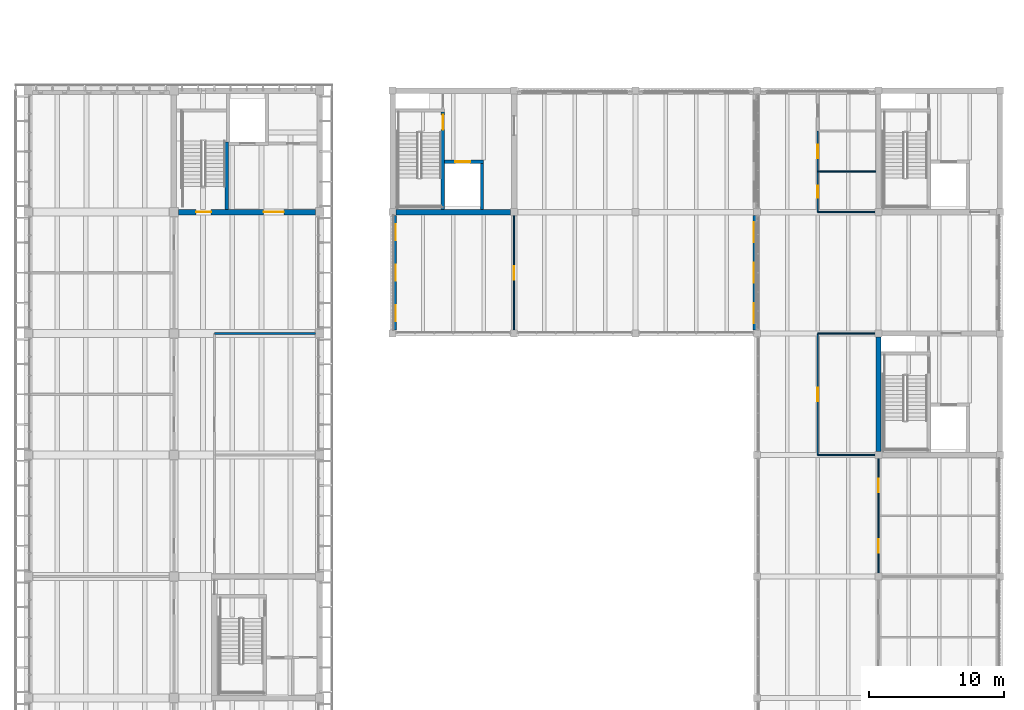
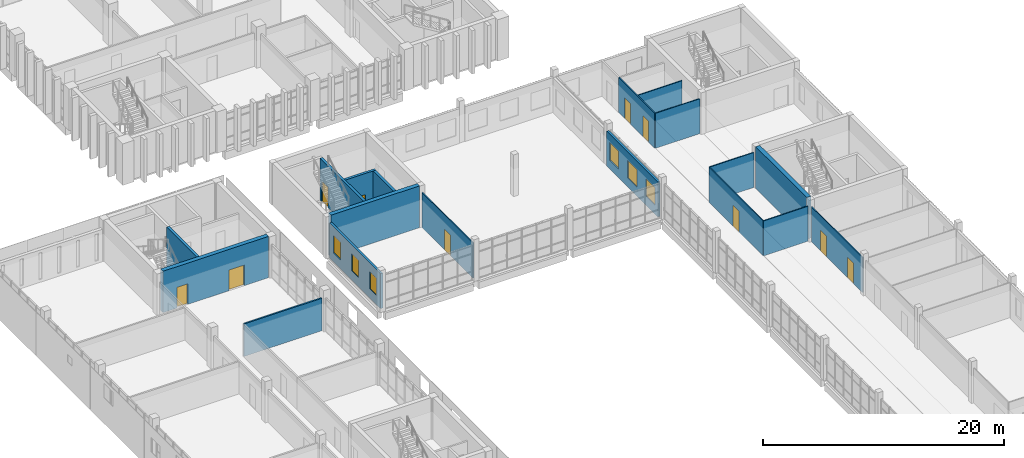
# One storey, part 54 of 92: 18 walls, 10 doors, 6 windows, 16 openings.
"""IFC4 building model written with IfcOpenShell, lengths in metres."""

from ifc_helpers import new_model, si_unit, direction, frame, frame_2d, origin, place, context, subcontext, project, spatial, rectangle, extrude, material, layer, layer_set, type_object, element, fill, save


model = new_model("IFC4")

# Units and contexts
model_context = context("Model", 3, precision=1e-05, world=origin(), true_north=direction((0.0, 1.0)))
body_context = subcontext(model_context, "Body", "Model", "MODEL_VIEW")
ifc_project = project(units=[si_unit("LENGTHUNIT", "METRE"), si_unit("AREAUNIT", "SQUARE_METRE"), si_unit("VOLUMEUNIT", "CUBIC_METRE"), si_unit("PLANEANGLEUNIT", "RADIAN"), si_unit("MASSUNIT", "GRAM", prefix="KILO")], contexts=[model_context])

# Site, building, storey
site_placement = place(None, origin())
site = spatial("IfcSite", under=ifc_project, at=site_placement, CompositionType="ELEMENT")
building_placement = place(site_placement, origin())
building = spatial("IfcBuilding", under=site, at=building_placement, Name="Merrow Basin Faculty of Sciences", CompositionType="ELEMENT")
storey_placement = place(building_placement, frame((0.0, 0.0, 4.5)))
storey = spatial("IfcBuildingStorey", under=building, at=storey_placement, Name="L01", CompositionType="ELEMENT", Elevation=4.5)

# Wall
ifc_material_1 = material(Name="Fire-rated gypsum board")
ifc_layer_1 = layer(ifc_material_1, 0.14990234375)
ifc_layer_set_1 = layer_set([ifc_layer_1], Name="Corridor partition 150 fire-rated board on steel studs")
wall_type_1 = type_object("IfcWallType", Name="Corridor partition 150 fire-rated board on steel studs", PredefinedType="PARTITIONING", material=ifc_layer_set_1)
wall_1_placement = place(storey_placement, frame((13.800048828125, 115.0, 0.0), z_axis=(0.0, 0.0, 1.0), x_axis=(1.0, 0.0, 0.0)))
element("IfcWall", 1, at=wall_1_placement, inside=storey, type_object=wall_type_1, Name="IW151 L01 012", PredefinedType="PARTITIONING", context=body_context, shape_type="SweptSolid", body=[
    extrude(rectangle(XDim=7.474853515625, YDim=0.14990234375, at=frame_2d((3.7373046875, 0.0))), origin(), (0.0, 0.0, 1.0), 3.300048828125),
])

# Wall, openings, windows
ifc_material_2 = material(Name="Precast concrete C40/50", Category="concrete")
ifc_layer_2 = layer(ifc_material_2, 0.215087890625)
ifc_layer_set_2 = layer_set([ifc_layer_2], Name="External infill wall 215 Precast concrete C40/50")
wall_type_2 = type_object("IfcWallType", Name="External infill wall 215 Precast concrete C40/50", PredefinedType="STANDARD", material=ifc_layer_set_2)
wall_2_placement = place(storey_placement, frame((27.193115234375, 115.25, 0.0), z_axis=(0.0, 0.0, 1.0), x_axis=(0.0, 1.0, 0.0)))
wall_2 = element("IfcWall", 2, at=wall_2_placement, inside=storey, type_object=wall_type_2, Name="W external wall 1", PredefinedType="STANDARD", context=body_context, shape_type="SweptSolid", body=[
    extrude(rectangle(XDim=8.5, YDim=0.215087890625, at=frame_2d((4.25, 0.0))), origin(), (0.0, 0.0, 1.0), 3.550048828125),
])
opening_1_placement = place(wall_2_placement, frame((0.64990234375, 0.0, 0.89990234375)))
opening_1 = element("IfcOpeningElement", 3, at=opening_1_placement, cuts=wall_2, Name="Opening WN11", PredefinedType="OPENING", context=body_context, shape_type="SweptSolid", body=[
    extrude(rectangle(XDim=1.199951171875, YDim=1.800048828125, at=frame_2d((0.60009765625, 0.89990234375))), frame((0.0, 0.117431640625, 0.0), z_axis=(0.0, -1.0, 0.0), x_axis=(1.0, 0.0, 0.0)), (0.0, 0.0, 1.0), 0.235107421875),
])
opening_2_placement = place(wall_2_placement, frame((3.64990234375, 0.0, 0.89990234375)))
opening_2 = element("IfcOpeningElement", 4, at=opening_2_placement, cuts=wall_2, Name="Opening WN11", PredefinedType="OPENING", context=body_context, shape_type="SweptSolid", body=[
    extrude(rectangle(XDim=1.199951171875, YDim=1.800048828125, at=frame_2d((0.60009765625, 0.89990234375))), frame((0.0, 0.117431640625, 0.0), z_axis=(0.0, -1.0, 0.0), x_axis=(1.0, 0.0, 0.0)), (0.0, 0.0, 1.0), 0.235107421875),
])
opening_3_placement = place(wall_2_placement, frame((6.64990234375, 0.0, 0.89990234375)))
opening_3 = element("IfcOpeningElement", 5, at=opening_3_placement, cuts=wall_2, Name="Opening WN11", PredefinedType="OPENING", context=body_context, shape_type="SweptSolid", body=[
    extrude(rectangle(XDim=1.199951171875, YDim=1.800048828125, at=frame_2d((0.60009765625, 0.89990234375))), frame((0.0, 0.117431640625, 0.0), z_axis=(0.0, -1.0, 0.0), x_axis=(1.0, 0.0, 0.0)), (0.0, 0.0, 1.0), 0.235107421875),
])
ifc_material_3 = material(Name="Low-E double glazing", Category="glass")
window_type_1 = type_object("IfcWindowType", Name="Punched window 1200 x 1800", PartitioningType="SINGLE_PANEL", PredefinedType="WINDOW", material=ifc_material_3)
window_1_placement = place(opening_1_placement, origin())
window_1 = element("IfcWindow", 6, at=window_1_placement, inside=storey, type_object=window_type_1, Name="W window L01", OverallHeight=1.800048828125, OverallWidth=1.199951171875, PartitioningType="SINGLE_PANEL", PredefinedType="WINDOW", context=body_context, shape_type="SweptSolid", body=[
    extrude(rectangle(XDim=1.199951171875, YDim=1.800048828125, at=frame_2d((0.60009765625, 0.89990234375))), frame((0.0, 0.030029296875, 0.0), z_axis=(0.0, -1.0, 0.0), x_axis=(1.0, 0.0, 0.0)), (0.0, 0.0, 1.0), 0.06005859375),
])
fill(opening_1, window_1)
window_2_placement = place(opening_2_placement, origin())
window_2 = element("IfcWindow", 7, at=window_2_placement, inside=storey, type_object=window_type_1, Name="W window L01", OverallHeight=1.800048828125, OverallWidth=1.199951171875, PartitioningType="SINGLE_PANEL", PredefinedType="WINDOW", context=body_context, shape_type="SweptSolid", body=[
    extrude(rectangle(XDim=1.199951171875, YDim=1.800048828125, at=frame_2d((0.60009765625, 0.89990234375))), frame((0.0, 0.030029296875, 0.0), z_axis=(0.0, -1.0, 0.0), x_axis=(1.0, 0.0, 0.0)), (0.0, 0.0, 1.0), 0.06005859375),
])
fill(opening_2, window_2)
window_3_placement = place(opening_3_placement, origin())
window_3 = element("IfcWindow", 8, at=window_3_placement, inside=storey, type_object=window_type_1, Name="W window L01", OverallHeight=1.800048828125, OverallWidth=1.199951171875, PartitioningType="SINGLE_PANEL", PredefinedType="WINDOW", context=body_context, shape_type="SweptSolid", body=[
    extrude(rectangle(XDim=1.199951171875, YDim=1.800048828125, at=frame_2d((0.60009765625, 0.89990234375))), frame((0.0, 0.030029296875, 0.0), z_axis=(0.0, -1.0, 0.0), x_axis=(1.0, 0.0, 0.0)), (0.0, 0.0, 1.0), 0.06005859375),
])
fill(opening_3, window_3)

wall_3_placement = place(storey_placement, frame((53.806884765625, 123.75, 0.0), z_axis=(0.0, 0.0, 1.0), x_axis=(0.0, -1.0, 0.0)))
wall_3 = element("IfcWall", 9, at=wall_3_placement, inside=storey, type_object=wall_type_2, Name="E external wall 1", PredefinedType="STANDARD", context=body_context, shape_type="SweptSolid", body=[
    extrude(rectangle(XDim=8.5, YDim=0.215087890625, at=frame_2d((4.25, 0.0))), origin(), (0.0, 0.0, 1.0), 3.550048828125),
])
opening_4_placement = place(wall_3_placement, frame((6.5, 0.0, 0.89990234375)))
opening_4 = element("IfcOpeningElement", 10, at=opening_4_placement, cuts=wall_3, Name="Opening WN8", PredefinedType="OPENING", context=body_context, shape_type="SweptSolid", body=[
    extrude(rectangle(XDim=1.5, YDim=1.800048828125, at=frame_2d((0.75, 0.89990234375))), frame((0.0, 0.117431640625, 0.0), z_axis=(0.0, -1.0, 0.0), x_axis=(1.0, 0.0, 0.0)), (0.0, 0.0, 1.0), 0.235107421875),
])
opening_5_placement = place(wall_3_placement, frame((3.5, 0.0, 0.89990234375)))
opening_5 = element("IfcOpeningElement", 11, at=opening_5_placement, cuts=wall_3, Name="Opening WN8", PredefinedType="OPENING", context=body_context, shape_type="SweptSolid", body=[
    extrude(rectangle(XDim=1.5, YDim=1.800048828125, at=frame_2d((0.75, 0.89990234375))), frame((0.0, 0.117431640625, 0.0), z_axis=(0.0, -1.0, 0.0), x_axis=(1.0, 0.0, 0.0)), (0.0, 0.0, 1.0), 0.235107421875),
])
opening_6_placement = place(wall_3_placement, frame((0.5, 0.0, 0.89990234375)))
opening_6 = element("IfcOpeningElement", 12, at=opening_6_placement, cuts=wall_3, Name="Opening WN8", PredefinedType="OPENING", context=body_context, shape_type="SweptSolid", body=[
    extrude(rectangle(XDim=1.5, YDim=1.800048828125, at=frame_2d((0.75, 0.89990234375))), frame((0.0, 0.117431640625, 0.0), z_axis=(0.0, -1.0, 0.0), x_axis=(1.0, 0.0, 0.0)), (0.0, 0.0, 1.0), 0.235107421875),
])
ifc_material_4 = material(Name="Low-E double glazing", Category="glass")
window_type_2 = type_object("IfcWindowType", Name="Punched window 1500 x 1800", PartitioningType="SINGLE_PANEL", PredefinedType="WINDOW", material=ifc_material_4)
window_4_placement = place(opening_4_placement, origin())
window_4 = element("IfcWindow", 13, at=window_4_placement, inside=storey, type_object=window_type_2, Name="E window L01", OverallHeight=1.800048828125, OverallWidth=1.5, PartitioningType="SINGLE_PANEL", PredefinedType="WINDOW", context=body_context, shape_type="SweptSolid", body=[
    extrude(rectangle(XDim=1.5, YDim=1.800048828125, at=frame_2d((0.75, 0.89990234375))), frame((0.0, 0.030029296875, 0.0), z_axis=(0.0, -1.0, 0.0), x_axis=(1.0, 0.0, 0.0)), (0.0, 0.0, 1.0), 0.06005859375),
])
fill(opening_4, window_4)
window_5_placement = place(opening_5_placement, origin())
window_5 = element("IfcWindow", 14, at=window_5_placement, inside=storey, type_object=window_type_2, Name="E window L01", OverallHeight=1.800048828125, OverallWidth=1.5, PartitioningType="SINGLE_PANEL", PredefinedType="WINDOW", context=body_context, shape_type="SweptSolid", body=[
    extrude(rectangle(XDim=1.5, YDim=1.800048828125, at=frame_2d((0.75, 0.89990234375))), frame((0.0, 0.030029296875, 0.0), z_axis=(0.0, -1.0, 0.0), x_axis=(1.0, 0.0, 0.0)), (0.0, 0.0, 1.0), 0.06005859375),
])
fill(opening_5, window_5)
window_6_placement = place(opening_6_placement, origin())
window_6 = element("IfcWindow", 15, at=window_6_placement, inside=storey, type_object=window_type_2, Name="E window L01", OverallHeight=1.800048828125, OverallWidth=1.5, PartitioningType="SINGLE_PANEL", PredefinedType="WINDOW", context=body_context, shape_type="SweptSolid", body=[
    extrude(rectangle(XDim=1.5, YDim=1.800048828125, at=frame_2d((0.75, 0.89990234375))), frame((0.0, 0.030029296875, 0.0), z_axis=(0.0, -1.0, 0.0), x_axis=(1.0, 0.0, 0.0)), (0.0, 0.0, 1.0), 0.06005859375),
])
fill(opening_6, window_6)

# Wall, opening, door
ifc_material_5 = material(Name="Gypsum board")
ifc_layer_3 = layer(ifc_material_5, 0.10009765625)
ifc_layer_set_3 = layer_set([ifc_layer_3], Name="Partition 100 gypsum board on steel studs")
wall_type_3 = type_object("IfcWallType", Name="Partition 100 gypsum board on steel studs", PredefinedType="PARTITIONING", material=ifc_layer_set_3)
wall_4_placement = place(storey_placement, frame((58.5, 106.0, 0.0), z_axis=(0.0, 0.0, 1.0), x_axis=(0.0, 1.0, 0.0)))
wall_4 = element("IfcWall", 16, at=wall_4_placement, inside=storey, type_object=wall_type_3, Name="IW100 L01 011", PredefinedType="PARTITIONING", context=body_context, shape_type="SweptSolid", body=[
    extrude(rectangle(XDim=9.0, YDim=0.10009765625, at=frame_2d((4.5, 0.0))), origin(), (0.0, 0.0, 1.0), 3.550048828125),
])
opening_7_placement = place(wall_4_placement, frame((4.0, 0.0, 0.0)))
opening_7 = element("IfcOpeningElement", 17, at=opening_7_placement, cuts=wall_4, Name="Opening D01C015", PredefinedType="OPENING", context=body_context, shape_type="SweptSolid", body=[
    extrude(rectangle(XDim=1.0, YDim=2.10009765625, at=frame_2d((0.5, 1.050048828125))), frame((0.0, 0.06005859375, 0.0), z_axis=(0.0, -1.0, 0.0), x_axis=(1.0, 0.0, 0.0)), (0.0, 0.0, 1.0), 0.1201171875),
])
ifc_material_6 = material(Name="Timber door leaf", Category="wood")
door_type_1 = type_object("IfcDoorType", Name="Single swing door 1000 x 2100", OperationType="NOTDEFINED", PredefinedType="DOOR", material=ifc_material_6)
door_1_placement = place(opening_7_placement, origin())
door_1 = element("IfcDoor", 18, at=door_1_placement, inside=storey, type_object=door_type_1, Name="Door D01C015", OperationType="SINGLE_SWING_LEFT", OverallHeight=2.10009765625, OverallWidth=1.0, PredefinedType="DOOR", context=body_context, shape_type="SweptSolid", body=[
    extrude(rectangle(XDim=1.0, YDim=2.10009765625, at=frame_2d((0.5, 1.050048828125))), frame((0.0, 0.02490234375, 0.0), z_axis=(0.0, -1.0, 0.0), x_axis=(1.0, 0.0, 0.0)), (0.0, 0.0, 1.0), 0.050048828125),
])
fill(opening_7, door_1)

# Wall, openings, doors
wall_5_placement = place(storey_placement, frame((63.0, 97.25, 0.0), z_axis=(0.0, 0.0, 1.0), x_axis=(0.0, 1.0, 0.0)))
wall_5 = element("IfcWall", 19, at=wall_5_placement, inside=storey, type_object=wall_type_3, Name="IW100 L01 014", PredefinedType="PARTITIONING", context=body_context, shape_type="SweptSolid", body=[
    extrude(rectangle(XDim=8.5, YDim=0.10009765625, at=frame_2d((4.25, 0.0))), origin(), (0.0, 0.0, 1.0), 3.550048828125),
])
opening_8_placement = place(wall_5_placement, frame((1.5, 0.0, 0.0)))
opening_8 = element("IfcOpeningElement", 20, at=opening_8_placement, cuts=wall_5, Name="Opening D01C019", PredefinedType="OPENING", context=body_context, shape_type="SweptSolid", body=[
    extrude(rectangle(XDim=1.0, YDim=2.10009765625, at=frame_2d((0.5, 1.050048828125))), frame((0.0, 0.06005859375, 0.0), z_axis=(0.0, -1.0, 0.0), x_axis=(1.0, 0.0, 0.0)), (0.0, 0.0, 1.0), 0.1201171875),
])
opening_9_placement = place(wall_5_placement, frame((6.0, 0.0, 0.0)))
opening_9 = element("IfcOpeningElement", 21, at=opening_9_placement, cuts=wall_5, Name="Opening D01C020", PredefinedType="OPENING", context=body_context, shape_type="SweptSolid", body=[
    extrude(rectangle(XDim=1.0, YDim=2.10009765625, at=frame_2d((0.5, 1.050048828125))), frame((0.0, 0.06005859375, 0.0), z_axis=(0.0, -1.0, 0.0), x_axis=(1.0, 0.0, 0.0)), (0.0, 0.0, 1.0), 0.1201171875),
])
door_2_placement = place(opening_8_placement, origin())
door_2 = element("IfcDoor", 22, at=door_2_placement, inside=storey, type_object=door_type_1, Name="Door D01C019", OperationType="SINGLE_SWING_LEFT", OverallHeight=2.10009765625, OverallWidth=1.0, PredefinedType="DOOR", context=body_context, shape_type="SweptSolid", body=[
    extrude(rectangle(XDim=1.0, YDim=2.10009765625, at=frame_2d((0.5, 1.050048828125))), frame((0.0, 0.02490234375, 0.0), z_axis=(0.0, -1.0, 0.0), x_axis=(1.0, 0.0, 0.0)), (0.0, 0.0, 1.0), 0.050048828125),
])
fill(opening_8, door_2)
door_3_placement = place(opening_9_placement, origin())
door_3 = element("IfcDoor", 23, at=door_3_placement, inside=storey, type_object=door_type_1, Name="Door D01C020", OperationType="SINGLE_SWING_LEFT", OverallHeight=2.10009765625, OverallWidth=1.0, PredefinedType="DOOR", context=body_context, shape_type="SweptSolid", body=[
    extrude(rectangle(XDim=1.0, YDim=2.10009765625, at=frame_2d((0.5, 1.050048828125))), frame((0.0, 0.02490234375, 0.0), z_axis=(0.0, -1.0, 0.0), x_axis=(1.0, 0.0, 0.0)), (0.0, 0.0, 1.0), 0.050048828125),
])
fill(opening_9, door_3)

# Walls
for number, where, z_axis, x_axis, name in (
    (24, (58.5, 106.0, 0.0), (0.0, 0.0, 1.0), (1.0, 0.0, 0.0), "IW100 L01 022"),
    (25, (58.5, 115.0, 0.0), (0.0, 0.0, 1.0), (1.0, 0.0, 0.0), "IW100 L01 023"),
):
    element("IfcWall", number, at=place(storey_placement, frame(where, z_axis=z_axis, x_axis=x_axis)), inside=storey, type_object=wall_type_3, Name=name, PredefinedType="PARTITIONING", context=body_context, shape_type="SweptSolid", body=[
        extrude(rectangle(XDim=4.25, YDim=0.10009765625, at=frame_2d((2.125, 0.0))), origin(), (0.0, 0.0, 1.0), 3.550048828125),
    ])

# Wall, opening, door
wall_6_placement = place(storey_placement, frame((36.0, 115.25, 0.0), z_axis=(0.0, 0.0, 1.0), x_axis=(0.0, 1.0, 0.0)))
wall_6 = element("IfcWall", 26, at=wall_6_placement, inside=storey, type_object=wall_type_3, Name="IW100 L01 024", PredefinedType="PARTITIONING", context=body_context, shape_type="SweptSolid", body=[
    extrude(rectangle(XDim=8.5, YDim=0.10009765625, at=frame_2d((4.25, 0.0))), origin(), (0.0, 0.0, 1.0), 3.550048828125),
])
opening_10_placement = place(wall_6_placement, frame((3.75, 0.0, 0.0)))
opening_10 = element("IfcOpeningElement", 27, at=opening_10_placement, cuts=wall_6, Name="Opening D01C013", PredefinedType="OPENING", context=body_context, shape_type="SweptSolid", body=[
    extrude(rectangle(XDim=1.0, YDim=2.10009765625, at=frame_2d((0.5, 1.050048828125))), frame((0.0, 0.06005859375, 0.0), z_axis=(0.0, -1.0, 0.0), x_axis=(1.0, 0.0, 0.0)), (0.0, 0.0, 1.0), 0.1201171875),
])
door_4_placement = place(opening_10_placement, origin())
door_4 = element("IfcDoor", 28, at=door_4_placement, inside=storey, type_object=door_type_1, Name="Door D01C013", OperationType="SINGLE_SWING_LEFT", OverallHeight=2.10009765625, OverallWidth=1.0, PredefinedType="DOOR", context=body_context, shape_type="SweptSolid", body=[
    extrude(rectangle(XDim=1.0, YDim=2.10009765625, at=frame_2d((0.5, 1.050048828125))), frame((0.0, 0.02490234375, 0.0), z_axis=(0.0, -1.0, 0.0), x_axis=(1.0, 0.0, 0.0)), (0.0, 0.0, 1.0), 0.050048828125),
])
fill(opening_10, door_4)

# Wall, openings, doors
ifc_material_7 = material(Name="Moisture-resistant gypsum board")
ifc_layer_4 = layer(ifc_material_7, 0.10009765625)
ifc_layer_set_4 = layer_set([ifc_layer_4], Name="Partition 100 moisture-resistant board on steel studs")
wall_type_4 = type_object("IfcWallType", Name="Partition 100 moisture-resistant board on steel studs", PredefinedType="PARTITIONING", material=ifc_layer_set_4)
wall_7_placement = place(storey_placement, frame((58.5, 124.0, 0.0), z_axis=(0.0, 0.0, 1.0), x_axis=(0.0, 1.0, 0.0)))
wall_7 = element("IfcWall", 29, at=wall_7_placement, inside=storey, type_object=wall_type_4, Name="IW101 L01 007", PredefinedType="PARTITIONING", context=body_context, shape_type="SweptSolid", body=[
    extrude(rectangle(XDim=6.0, YDim=0.10009765625, at=frame_2d((3.0, 0.0))), origin(), (0.0, 0.0, 1.0), 3.550048828125),
])
opening_11_placement = place(wall_7_placement, frame((1.050048828125, 0.0, 0.0)))
opening_11 = element("IfcOpeningElement", 30, at=opening_11_placement, cuts=wall_7, Name="Opening D01C021", PredefinedType="OPENING", context=body_context, shape_type="SweptSolid", body=[
    extrude(rectangle(XDim=0.89990234375, YDim=2.10009765625, at=frame_2d((0.449951171875, 1.050048828125))), frame((0.0, 0.06005859375, 0.0), z_axis=(0.0, -1.0, 0.0), x_axis=(1.0, 0.0, 0.0)), (0.0, 0.0, 1.0), 0.1201171875),
])
opening_12_placement = place(wall_7_placement, frame((4.0, 0.0, 0.0)))
opening_12 = element("IfcOpeningElement", 31, at=opening_12_placement, cuts=wall_7, Name="Opening D01C022", PredefinedType="OPENING", context=body_context, shape_type="SweptSolid", body=[
    extrude(rectangle(XDim=1.0, YDim=2.10009765625, at=frame_2d((0.5, 1.050048828125))), frame((0.0, 0.06005859375, 0.0), z_axis=(0.0, -1.0, 0.0), x_axis=(1.0, 0.0, 0.0)), (0.0, 0.0, 1.0), 0.1201171875),
])
ifc_material_8 = material(Name="Timber door leaf", Category="wood")
door_type_2 = type_object("IfcDoorType", Name="Accessible door 1000 x 2100", OperationType="NOTDEFINED", PredefinedType="DOOR", material=ifc_material_8)
door_5_placement = place(opening_12_placement, origin())
door_5 = element("IfcDoor", 32, at=door_5_placement, inside=storey, type_object=door_type_2, Name="Door D01C022", OperationType="SINGLE_SWING_LEFT", OverallHeight=2.10009765625, OverallWidth=1.0, PredefinedType="DOOR", context=body_context, shape_type="SweptSolid", body=[
    extrude(rectangle(XDim=1.0, YDim=2.10009765625, at=frame_2d((0.5, 1.050048828125))), frame((0.0, 0.02490234375, 0.0), z_axis=(0.0, -1.0, 0.0), x_axis=(1.0, 0.0, 0.0)), (0.0, 0.0, 1.0), 0.050048828125),
])
fill(opening_12, door_5)
ifc_material_9 = material(Name="Timber door leaf", Category="wood")
door_type_3 = type_object("IfcDoorType", Name="Single swing door 900 x 2100", OperationType="NOTDEFINED", PredefinedType="DOOR", material=ifc_material_9)
door_6_placement = place(opening_11_placement, origin())
door_6 = element("IfcDoor", 33, at=door_6_placement, inside=storey, type_object=door_type_3, Name="Door D01C021", OperationType="SINGLE_SWING_LEFT", OverallHeight=2.10009765625, OverallWidth=0.89990234375, PredefinedType="DOOR", context=body_context, shape_type="SweptSolid", body=[
    extrude(rectangle(XDim=0.89990234375, YDim=2.10009765625, at=frame_2d((0.449951171875, 1.050048828125))), frame((0.0, 0.02490234375, 0.0), z_axis=(0.0, -1.0, 0.0), x_axis=(1.0, 0.0, 0.0)), (0.0, 0.0, 1.0), 0.050048828125),
])
fill(opening_11, door_6)

# Walls
for number, where, z_axis, x_axis, name in (
    (34, (58.5, 124.0, 0.0), (0.0, 0.0, 1.0), (1.0, 0.0, 0.0), "IW101 L01 008"),
    (35, (58.550048828125, 127.0, 0.0), (0.0, 0.0, 1.0), (1.0, 0.0, 0.0), "IW101 L01 009"),
):
    element("IfcWall", number, at=place(storey_placement, frame(where, z_axis=z_axis, x_axis=x_axis)), inside=storey, type_object=wall_type_4, Name=name, PredefinedType="PARTITIONING", context=body_context, shape_type="SweptSolid", body=[
        extrude(rectangle(XDim=4.25, YDim=0.10009765625, at=frame_2d((2.125, 0.0))), origin(), (0.0, 0.0, 1.0), 3.550048828125),
    ])
ifc_material_10 = material(Name="Concrete C40/50", Category="concrete")
ifc_layer_5 = layer(ifc_material_10, 0.25)
ifc_layer_set_5 = layer_set([ifc_layer_5], Name="Shear wall 250 Concrete C40/50")
wall_type_5 = type_object("IfcWallType", Name="Shear wall 250 Concrete C40/50", PredefinedType="SHEAR", material=ifc_layer_set_5)
wall_8_placement = place(storey_placement, frame((14.72509765625, 124.199951171875, 0.0), z_axis=(0.0, 0.0, 1.0), x_axis=(0.0, 1.0, 0.0)))
element("IfcWall", 36, at=wall_8_placement, inside=storey, type_object=wall_type_5, Name="SW2 L01 020", PredefinedType="SHEAR", context=body_context, shape_type="SweptSolid", body=[
    extrude(rectangle(XDim=5.0, YDim=0.25, at=frame_2d((2.5, 0.0))), origin(), (0.0, 0.0, 1.0), 4.199951171875),
])

# Wall, opening, door
wall_9_placement = place(storey_placement, frame((30.72509765625, 124.199951171875, 0.0), z_axis=(0.0, 0.0, 1.0), x_axis=(0.0, 1.0, 0.0)))
wall_9 = element("IfcWall", 37, at=wall_9_placement, inside=storey, type_object=wall_type_5, Name="SW2 L01 006", PredefinedType="SHEAR", context=body_context, shape_type="SweptSolid", body=[
    extrude(rectangle(XDim=7.199951171875, YDim=0.25, at=frame_2d((3.60009765625, 0.0))), origin(), (0.0, 0.0, 1.0), 4.25),
])
opening_13_placement = place(wall_9_placement, frame((5.89990234375, 0.0, 0.0)))
opening_13 = element("IfcOpeningElement", 38, at=opening_13_placement, cuts=wall_9, Name="Opening D01C010", PredefinedType="OPENING", context=body_context, shape_type="SweptSolid", body=[
    extrude(rectangle(XDim=1.10009765625, YDim=2.10009765625, at=frame_2d((0.550048828125, 1.050048828125))), frame((0.0, 0.135009765625, 0.0), z_axis=(0.0, -1.0, 0.0), x_axis=(1.0, 0.0, 0.0)), (0.0, 0.0, 1.0), 0.27001953125),
])
ifc_material_11 = material(Name="Fire-rated steel door", Category="steel")
door_type_4 = type_object("IfcDoorType", Name="Fire door FD90 1100 x 2100", OperationType="NOTDEFINED", PredefinedType="DOOR", material=ifc_material_11)
door_7_placement = place(opening_13_placement, origin())
door_7 = element("IfcDoor", 39, at=door_7_placement, inside=storey, type_object=door_type_4, Name="Door D01C010", OperationType="SINGLE_SWING_RIGHT", OverallHeight=2.10009765625, OverallWidth=1.10009765625, PredefinedType="DOOR", context=body_context, shape_type="SweptSolid", body=[
    extrude(rectangle(XDim=1.10009765625, YDim=2.10009765625, at=frame_2d((0.550048828125, 1.050048828125))), frame((0.0, 0.02490234375, 0.0), z_axis=(0.0, -1.0, 0.0), x_axis=(1.0, 0.0, 0.0)), (0.0, 0.0, 1.0), 0.050048828125),
])
fill(opening_13, door_7)

wall_10_placement = place(storey_placement, frame((30.85009765625, 127.72509765625, 0.0), z_axis=(0.0, 0.0, 1.0), x_axis=(1.0, 0.0, 0.0)))
wall_10 = element("IfcWall", 40, at=wall_10_placement, inside=storey, type_object=wall_type_5, Name="SW2 L01 007", PredefinedType="SHEAR", context=body_context, shape_type="SweptSolid", body=[
    extrude(rectangle(XDim=2.89990234375, YDim=0.25, at=frame_2d((1.449951171875, 0.0))), origin(), (0.0, 0.0, 1.0), 4.25),
])
opening_14_placement = place(wall_10_placement, frame((0.800048828125, 0.0, 0.0)))
opening_14 = element("IfcOpeningElement", 41, at=opening_14_placement, cuts=wall_10, Name="Opening LD01C01", PredefinedType="OPENING", context=body_context, shape_type="SweptSolid", body=[
    extrude(rectangle(XDim=1.10009765625, YDim=2.10009765625, at=frame_2d((0.550048828125, 1.050048828125))), frame((0.0, 0.135009765625, 0.0), z_axis=(0.0, -1.0, 0.0), x_axis=(1.0, 0.0, 0.0)), (0.0, 0.0, 1.0), 0.27001953125),
])
ifc_material_12 = material(Name="Stainless steel sliding door", Category="steel")
door_type_5 = type_object("IfcDoorType", Name="Lift landing door 1100 x 2100 sliding", OperationType="NOTDEFINED", PredefinedType="DOOR", material=ifc_material_12)
door_8_placement = place(opening_14_placement, origin())
door_8 = element("IfcDoor", 42, at=door_8_placement, inside=storey, type_object=door_type_5, Name="Landing door LF5 L01", OperationType="SLIDING_TO_LEFT", OverallHeight=2.10009765625, OverallWidth=1.10009765625, PredefinedType="DOOR", context=body_context, shape_type="SweptSolid", body=[
    extrude(rectangle(XDim=1.10009765625, YDim=2.10009765625, at=frame_2d((0.550048828125, 1.050048828125))), frame((0.0, 0.02490234375, 0.0), z_axis=(0.0, -1.0, 0.0), x_axis=(1.0, 0.0, 0.0)), (0.0, 0.0, 1.0), 0.050048828125),
])
fill(opening_14, door_8)

# Wall
wall_11_placement = place(storey_placement, frame((33.625, 124.199951171875, 0.0), z_axis=(0.0, 0.0, 1.0), x_axis=(0.0, 1.0, 0.0)))
element("IfcWall", 43, at=wall_11_placement, inside=storey, type_object=wall_type_5, Name="SW2 L01 008", PredefinedType="SHEAR", context=body_context, shape_type="SweptSolid", body=[
    extrude(rectangle(XDim=3.400146484375, YDim=0.25, at=frame_2d((1.7001953125, 0.0))), origin(), (0.0, 0.0, 1.0), 4.25),
])

# Wall, openings, doors
ifc_material_13 = material(Name="Concrete C40/50", Category="concrete")
ifc_layer_6 = layer(ifc_material_13, 0.39990234375)
ifc_layer_set_6 = layer_set([ifc_layer_6], Name="Shear wall 400 Concrete C40/50")
wall_type_6 = type_object("IfcWallType", Name="Shear wall 400 Concrete C40/50", PredefinedType="SHEAR", material=ifc_layer_set_6)
wall_12_placement = place(storey_placement, frame((11.125, 124.0, 0.0), z_axis=(0.0, 0.0, 1.0), x_axis=(1.0, 0.0, 0.0)))
wall_12 = element("IfcWall", 44, at=wall_12_placement, inside=storey, type_object=wall_type_6, Name="SW1 L01 015", PredefinedType="SHEAR", context=body_context, shape_type="SweptSolid", body=[
    extrude(rectangle(XDim=10.14990234375, YDim=0.39990234375, at=frame_2d((5.074951171875, 0.0))), origin(), (0.0, 0.0, 1.0), 4.199951171875),
])
opening_15_placement = place(wall_12_placement, frame((1.324951171875, 0.0, 0.0)))
opening_15 = element("IfcOpeningElement", 45, at=opening_15_placement, cuts=wall_12, Name="Opening D01B009", PredefinedType="OPENING", context=body_context, shape_type="SweptSolid", body=[
    extrude(rectangle(XDim=1.10009765625, YDim=2.10009765625, at=frame_2d((0.550048828125, 1.050048828125))), frame((0.0, 0.2099609375, 0.0), z_axis=(0.0, -1.0, 0.0), x_axis=(1.0, 0.0, 0.0)), (0.0, 0.0, 1.0), 0.419921875),
])
opening_16_placement = place(wall_12_placement, frame((6.324951171875, 0.0, 0.0)))
opening_16 = element("IfcOpeningElement", 46, at=opening_16_placement, cuts=wall_12, Name="Opening D01B010", PredefinedType="OPENING", context=body_context, shape_type="SweptSolid", body=[
    extrude(rectangle(XDim=1.5, YDim=2.10009765625, at=frame_2d((0.75, 1.050048828125))), frame((0.0, 0.2099609375, 0.0), z_axis=(0.0, -1.0, 0.0), x_axis=(1.0, 0.0, 0.0)), (0.0, 0.0, 1.0), 0.419921875),
])
ifc_material_14 = material(Name="Fire-rated steel door", Category="steel")
door_type_6 = type_object("IfcDoorType", Name="Fire door FD60 1500 x 2100", OperationType="NOTDEFINED", PredefinedType="DOOR", material=ifc_material_14)
door_9_placement = place(opening_16_placement, origin())
door_9 = element("IfcDoor", 47, at=door_9_placement, inside=storey, type_object=door_type_6, Name="Door D01B010", OperationType="DOUBLE_DOOR_SINGLE_SWING", OverallHeight=2.10009765625, OverallWidth=1.5, PredefinedType="DOOR", context=body_context, shape_type="SweptSolid", body=[
    extrude(rectangle(XDim=1.5, YDim=2.10009765625, at=frame_2d((0.75, 1.050048828125))), frame((0.0, 0.02490234375, 0.0), z_axis=(0.0, -1.0, 0.0), x_axis=(1.0, 0.0, 0.0)), (0.0, 0.0, 1.0), 0.050048828125),
])
fill(opening_16, door_9)
door_10_placement = place(opening_15_placement, origin())
door_10 = element("IfcDoor", 48, at=door_10_placement, inside=storey, type_object=door_type_4, Name="Door D01B009", OperationType="SINGLE_SWING_LEFT", OverallHeight=2.10009765625, OverallWidth=1.10009765625, PredefinedType="DOOR", context=body_context, shape_type="SweptSolid", body=[
    extrude(rectangle(XDim=1.10009765625, YDim=2.10009765625, at=frame_2d((0.550048828125, 1.050048828125))), frame((0.0, 0.02490234375, 0.0), z_axis=(0.0, -1.0, 0.0), x_axis=(1.0, 0.0, 0.0)), (0.0, 0.0, 1.0), 0.050048828125),
])
fill(opening_15, door_10)

# Walls
for number, where, z_axis, x_axis, name in (
    (49, (27.25, 124.0, 0.0), (0.0, 0.0, 1.0), (1.0, 0.0, 0.0), "SW1 L01 001"),
    (50, (63.0, 106.25, 0.0), (0.0, 0.0, 1.0), (0.0, 1.0, 0.0), "SW1 L01 019"),
):
    element("IfcWall", number, at=place(storey_placement, frame(where, z_axis=z_axis, x_axis=x_axis)), inside=storey, type_object=wall_type_6, Name=name, PredefinedType="SHEAR", context=body_context, shape_type="SweptSolid", body=[
        extrude(rectangle(XDim=8.5, YDim=0.39990234375, at=frame_2d((4.25, 0.0))), origin(), (0.0, 0.0, 1.0), 4.25),
    ])

save(model, "model.ifc")
